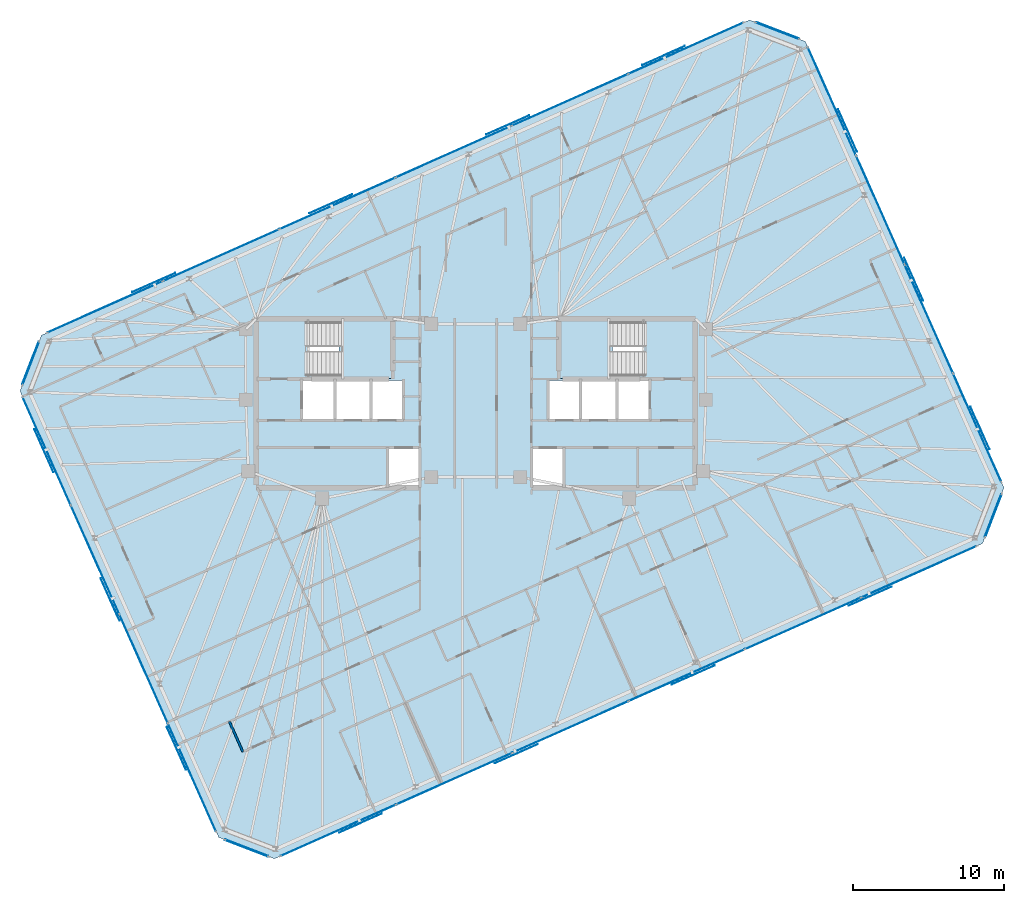
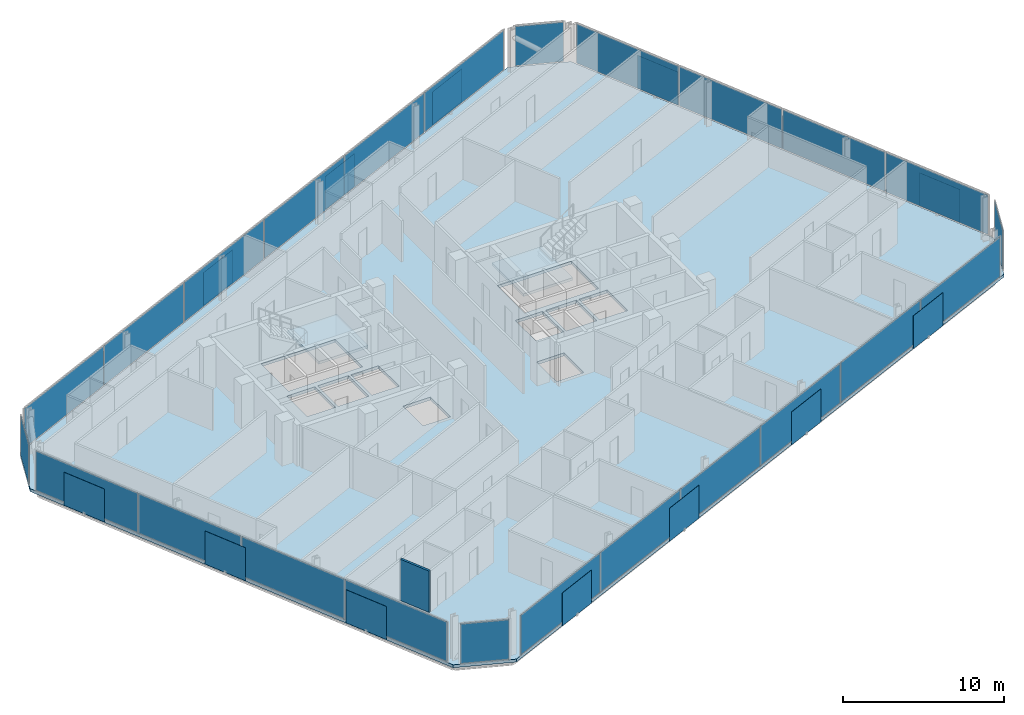
# One storey, part 12 of 19: 38 plates, 3 slabs, 1 wall, 10 elements without a shape of their own.
"""IFC4 building model written with IfcOpenShell, lengths in metres."""

from ifc_helpers import new_model, si_unit, direction, frame, frame_2d, origin, origin_2d, place, context, subcontext, project, spatial, polyline, rectangle, outline, extrude, material, layer, layer_set, type_object, element, aggregate, save


model = new_model("IFC4")

# Units and contexts
model_context = context("Model", 3, precision=1e-05, world=origin(), true_north=direction((0.0, 1.0)))
body_context = subcontext(model_context, "Body", "Model", "MODEL_VIEW")
ifc_project = project(units=[si_unit("LENGTHUNIT", "METRE"), si_unit("AREAUNIT", "SQUARE_METRE"), si_unit("VOLUMEUNIT", "CUBIC_METRE"), si_unit("PLANEANGLEUNIT", "RADIAN"), si_unit("MASSUNIT", "GRAM", prefix="KILO")], contexts=[model_context])

# Site, building, storey
site_placement = place(None, origin())
site = spatial("IfcSite", under=ifc_project, at=site_placement, CompositionType="ELEMENT")
building_placement = place(site_placement, origin())
building = spatial("IfcBuilding", under=site, at=building_placement, Name="Menara Jurai Vektor", CompositionType="ELEMENT")
storey_placement = place(building_placement, frame((0.0, 0.0, 268.89990234375)))
storey = spatial("IfcBuildingStorey", under=building, at=storey_placement, Name="L72", CompositionType="ELEMENT", Elevation=268.89990234375)

# Curtain wall, plates
ifc_material_1 = material(Name="Anodised Pale Aluminium & Low-E Double Glazing", Category="aluminium")
curtain_wall_type = type_object("IfcCurtainWallType", Name="CW-BLK5", PredefinedType="NOTDEFINED", material=ifc_material_1)
curtain_wall_1_placement = place(storey_placement, origin())
curtain_wall_1 = element("IfcCurtainWall", 1, at=curtain_wall_1_placement, inside=storey, type_object=curtain_wall_type, Name="Unitised Curtain Wall L72 F01", PredefinedType="NOTDEFINED")
ifc_material_2 = material(Name="Low-E Solar-Control Double Glazed Unit", Category="glass")
ifc_layer_1 = layer(ifc_material_2, 0.028076171875)
ifc_layer_set_1 = layer_set([ifc_layer_1], Name="Low-E Solar-Control Double Glazed Unit")
plate_type_1 = type_object("IfcPlateType", Name="CW-BLK5-PNL", PredefinedType="CURTAIN_PANEL", material=ifc_layer_set_1)
plate_1_placement = place(storey_placement, frame((-9.130615234375, -28.331787109375, 0.074951171875), z_axis=(0.0, 0.0, 1.0), x_axis=(0.913545967158, 0.406735498684, 0.0)))
plate_1 = element("IfcPlate", 2, at=plate_1_placement, type_object=plate_type_1, Name="CW-05 panel 1.1", PredefinedType="CURTAIN_PANEL", context=body_context, shape_type="SweptSolid", body=[
    extrude(rectangle(XDim=8.327392578125, YDim=0.028076171875, at=origin_2d()), origin(), (0.0, 0.0, 1.0), 2.97509765625),
])
plate_2_placement = place(storey_placement, frame((-1.4375, -24.90673828125, 0.074951171875), z_axis=(0.0, 0.0, 1.0), x_axis=(0.913545967158, 0.406735498684, 0.0)))
plate_2 = element("IfcPlate", 3, at=plate_2_placement, type_object=plate_type_1, Name="CW-05 panel 2.1", PredefinedType="CURTAIN_PANEL", context=body_context, shape_type="SweptSolid", body=[
    extrude(rectangle(XDim=8.364990234375, YDim=0.028076171875, at=origin_2d()), origin(), (0.0, 0.0, 1.0), 2.97509765625),
])
plate_3_placement = place(storey_placement, frame((6.27294921875, -21.473876953125, 0.074951171875), z_axis=(0.0, 0.0, 1.0), x_axis=(0.913545967158, 0.406735498684, 0.0)))
plate_3 = element("IfcPlate", 4, at=plate_3_placement, type_object=plate_type_1, Name="CW-05 panel 3.1", PredefinedType="CURTAIN_PANEL", context=body_context, shape_type="SweptSolid", body=[
    extrude(rectangle(XDim=8.364990234375, YDim=0.028076171875, at=origin_2d()), origin(), (0.0, 0.0, 1.0), 2.97509765625),
])
plate_4_placement = place(storey_placement, frame((13.983154296875, -18.041015625, 0.074951171875), z_axis=(0.0, 0.0, 1.0), x_axis=(0.913545967158, 0.406735498684, 0.0)))
plate_4 = element("IfcPlate", 5, at=plate_4_placement, type_object=plate_type_1, Name="CW-05 panel 4.1", PredefinedType="CURTAIN_PANEL", context=body_context, shape_type="SweptSolid", body=[
    extrude(rectangle(XDim=8.364990234375, YDim=0.028076171875, at=origin_2d()), origin(), (0.0, 0.0, 1.0), 2.97509765625),
])
plate_5_placement = place(storey_placement, frame((21.693603515625, -14.608154296875, 0.074951171875), z_axis=(0.0, 0.0, 1.0), x_axis=(0.913545967158, 0.406735498684, 0.0)))
plate_5 = element("IfcPlate", 6, at=plate_5_placement, type_object=plate_type_1, Name="CW-05 panel 5.1", PredefinedType="CURTAIN_PANEL", context=body_context, shape_type="SweptSolid", body=[
    extrude(rectangle(XDim=8.364990234375, YDim=0.028076171875, at=origin_2d()), origin(), (0.0, 0.0, 1.0), 2.97509765625),
])
plate_6_placement = place(storey_placement, frame((29.38671875, -11.182861328125, 0.074951171875), z_axis=(0.0, 0.0, 1.0), x_axis=(0.913545967158, 0.406735498684, 0.0)))
plate_6 = element("IfcPlate", 7, at=plate_6_placement, type_object=plate_type_1, Name="CW-05 panel 6.1", PredefinedType="CURTAIN_PANEL", context=body_context, shape_type="SweptSolid", body=[
    extrude(rectangle(XDim=8.327392578125, YDim=0.028076171875, at=origin_2d()), origin(), (0.0, 0.0, 1.0), 2.97509765625),
])
aggregate(curtain_wall_1, [plate_1, plate_2, plate_3, plate_4, plate_5, plate_6])

curtain_wall_2_placement = place(storey_placement, origin())
curtain_wall_2 = element("IfcCurtainWall", 8, at=curtain_wall_2_placement, inside=storey, type_object=curtain_wall_type, Name="Unitised Curtain Wall L72 F03", PredefinedType="NOTDEFINED")
plate_7_placement = place(storey_placement, frame((33.25439453125, -1.630126953125, 0.074951171875), z_axis=(0.0, 0.0, 1.0), x_axis=(-0.406735138086, 0.913546127706, 0.0)))
plate_7 = element("IfcPlate", 9, at=plate_7_placement, type_object=plate_type_1, Name="CW-05 panel 1.1", PredefinedType="CURTAIN_PANEL", context=body_context, shape_type="SweptSolid", body=[
    extrude(rectangle(XDim=7.797607421875, YDim=0.028076171875, at=origin_2d()), origin(), (0.0, 0.0, 1.0), 2.97509765625),
])
plate_8_placement = place(storey_placement, frame((30.044677734375, 5.578857421875, 0.074951171875), z_axis=(0.0, 0.0, 1.0), x_axis=(-0.406735138086, 0.913546127706, 0.0)))
plate_8 = element("IfcPlate", 10, at=plate_8_placement, type_object=plate_type_1, Name="CW-05 panel 2.1", PredefinedType="CURTAIN_PANEL", context=body_context, shape_type="SweptSolid", body=[
    extrude(rectangle(XDim=7.8349609375, YDim=0.028076171875, at=origin_2d()), origin(), (0.0, 0.0, 1.0), 2.97509765625),
])
plate_9_placement = place(storey_placement, frame((26.827392578125, 12.80517578125, 0.074951171875), z_axis=(0.0, 0.0, 1.0), x_axis=(-0.406735138086, 0.913546127706, 0.0)))
plate_9 = element("IfcPlate", 11, at=plate_9_placement, type_object=plate_type_1, Name="CW-05 panel 3.1", PredefinedType="CURTAIN_PANEL", context=body_context, shape_type="SweptSolid", body=[
    extrude(rectangle(XDim=7.8349609375, YDim=0.028076171875, at=origin_2d()), origin(), (0.0, 0.0, 1.0), 2.97509765625),
])
plate_10_placement = place(storey_placement, frame((23.61767578125, 20.01416015625, 0.074951171875), z_axis=(0.0, 0.0, 1.0), x_axis=(-0.406735138086, 0.913546127706, 0.0)))
plate_10 = element("IfcPlate", 12, at=plate_10_placement, type_object=plate_type_1, Name="CW-05 panel 4.1", PredefinedType="CURTAIN_PANEL", context=body_context, shape_type="SweptSolid", body=[
    extrude(rectangle(XDim=7.797607421875, YDim=0.028076171875, at=origin_2d()), origin(), (0.0, 0.0, 1.0), 2.97509765625),
])
aggregate(curtain_wall_2, [plate_7, plate_8, plate_9, plate_10])

curtain_wall_3_placement = place(storey_placement, origin())
curtain_wall_3 = element("IfcCurtainWall", 13, at=curtain_wall_3_placement, inside=storey, type_object=curtain_wall_type, Name="Unitised Curtain Wall L72 F05", PredefinedType="NOTDEFINED")
plate_11_placement = place(storey_placement, frame((13.9306640625, 23.53173828125, 0.074951171875), z_axis=(0.0, 0.0, 1.0), x_axis=(-0.913545967158, -0.406735498684, 0.0)))
plate_11 = element("IfcPlate", 14, at=plate_11_placement, type_object=plate_type_1, Name="CW-05 panel 1.1", PredefinedType="CURTAIN_PANEL", context=body_context, shape_type="SweptSolid", body=[
    extrude(rectangle(XDim=8.327392578125, YDim=0.028076171875, at=origin_2d()), origin(), (0.0, 0.0, 1.0), 2.97509765625),
])
plate_12_placement = place(storey_placement, frame((6.237548828125, 20.106689453125, 0.074951171875), z_axis=(0.0, 0.0, 1.0), x_axis=(-0.913545967158, -0.406735498684, 0.0)))
plate_12 = element("IfcPlate", 15, at=plate_12_placement, type_object=plate_type_1, Name="CW-05 panel 2.1", PredefinedType="CURTAIN_PANEL", context=body_context, shape_type="SweptSolid", body=[
    extrude(rectangle(XDim=8.364990234375, YDim=0.028076171875, at=origin_2d()), origin(), (0.0, 0.0, 1.0), 2.97509765625),
])
plate_13_placement = place(storey_placement, frame((-1.472900390625, 16.673828125, 0.074951171875), z_axis=(0.0, 0.0, 1.0), x_axis=(-0.913545967158, -0.406735498684, 0.0)))
plate_13 = element("IfcPlate", 16, at=plate_13_placement, type_object=plate_type_1, Name="CW-05 panel 3.1", PredefinedType="CURTAIN_PANEL", context=body_context, shape_type="SweptSolid", body=[
    extrude(rectangle(XDim=8.364990234375, YDim=0.028076171875, at=origin_2d()), origin(), (0.0, 0.0, 1.0), 2.97509765625),
])
plate_14_placement = place(storey_placement, frame((-9.18310546875, 13.240966796875, 0.074951171875), z_axis=(0.0, 0.0, 1.0), x_axis=(-0.913545967158, -0.406735498684, 0.0)))
plate_14 = element("IfcPlate", 17, at=plate_14_placement, type_object=plate_type_1, Name="CW-05 panel 4.1", PredefinedType="CURTAIN_PANEL", context=body_context, shape_type="SweptSolid", body=[
    extrude(rectangle(XDim=8.364990234375, YDim=0.028076171875, at=origin_2d()), origin(), (0.0, 0.0, 1.0), 2.97509765625),
])
plate_15_placement = place(storey_placement, frame((-16.8935546875, 9.80810546875, 0.074951171875), z_axis=(0.0, 0.0, 1.0), x_axis=(-0.913545967158, -0.406735498684, 0.0)))
plate_15 = element("IfcPlate", 18, at=plate_15_placement, type_object=plate_type_1, Name="CW-05 panel 5.1", PredefinedType="CURTAIN_PANEL", context=body_context, shape_type="SweptSolid", body=[
    extrude(rectangle(XDim=8.364990234375, YDim=0.028076171875, at=origin_2d()), origin(), (0.0, 0.0, 1.0), 2.97509765625),
])
plate_16_placement = place(storey_placement, frame((-24.586669921875, 6.3828125, 0.074951171875), z_axis=(0.0, 0.0, 1.0), x_axis=(-0.913545967158, -0.406735498684, 0.0)))
plate_16 = element("IfcPlate", 19, at=plate_16_placement, type_object=plate_type_1, Name="CW-05 panel 6.1", PredefinedType="CURTAIN_PANEL", context=body_context, shape_type="SweptSolid", body=[
    extrude(rectangle(XDim=8.327392578125, YDim=0.028076171875, at=origin_2d()), origin(), (0.0, 0.0, 1.0), 2.97509765625),
])
aggregate(curtain_wall_3, [plate_11, plate_12, plate_13, plate_14, plate_15, plate_16])

curtain_wall_4_placement = place(storey_placement, origin())
curtain_wall_4 = element("IfcCurtainWall", 20, at=curtain_wall_4_placement, inside=storey, type_object=curtain_wall_type, Name="Unitised Curtain Wall L72 F07", PredefinedType="NOTDEFINED")
plate_17_placement = place(storey_placement, frame((-28.454345703125, -3.169921875, 0.074951171875), z_axis=(0.0, 0.0, 1.0), x_axis=(0.406735138086, -0.913546127706, 0.0)))
plate_17 = element("IfcPlate", 21, at=plate_17_placement, type_object=plate_type_1, Name="CW-05 panel 1.1", PredefinedType="CURTAIN_PANEL", context=body_context, shape_type="SweptSolid", body=[
    extrude(rectangle(XDim=7.797607421875, YDim=0.028076171875, at=origin_2d()), origin(), (0.0, 0.0, 1.0), 2.97509765625),
])
plate_18_placement = place(storey_placement, frame((-25.24462890625, -10.37890625, 0.074951171875), z_axis=(0.0, 0.0, 1.0), x_axis=(0.406735138086, -0.913546127706, 0.0)))
plate_18 = element("IfcPlate", 22, at=plate_18_placement, type_object=plate_type_1, Name="CW-05 panel 2.1", PredefinedType="CURTAIN_PANEL", context=body_context, shape_type="SweptSolid", body=[
    extrude(rectangle(XDim=7.8349609375, YDim=0.028076171875, at=origin_2d()), origin(), (0.0, 0.0, 1.0), 2.97509765625),
])
plate_19_placement = place(storey_placement, frame((-22.02734375, -17.60498046875, 0.074951171875), z_axis=(0.0, 0.0, 1.0), x_axis=(0.406735138086, -0.913546127706, 0.0)))
plate_19 = element("IfcPlate", 23, at=plate_19_placement, type_object=plate_type_1, Name="CW-05 panel 3.1", PredefinedType="CURTAIN_PANEL", context=body_context, shape_type="SweptSolid", body=[
    extrude(rectangle(XDim=7.8349609375, YDim=0.028076171875, at=origin_2d()), origin(), (0.0, 0.0, 1.0), 2.97509765625),
])
plate_20_placement = place(storey_placement, frame((-18.81787109375, -24.814208984375, 0.074951171875), z_axis=(0.0, 0.0, 1.0), x_axis=(0.406735138086, -0.913546127706, 0.0)))
plate_20 = element("IfcPlate", 24, at=plate_20_placement, type_object=plate_type_1, Name="CW-05 panel 4.1", PredefinedType="CURTAIN_PANEL", context=body_context, shape_type="SweptSolid", body=[
    extrude(rectangle(XDim=7.797607421875, YDim=0.028076171875, at=origin_2d()), origin(), (0.0, 0.0, 1.0), 2.97509765625),
])
aggregate(curtain_wall_4, [plate_17, plate_18, plate_19, plate_20])

# Curtain wall, plate
curtain_wall_5_placement = place(storey_placement, origin())
curtain_wall_5 = element("IfcCurtainWall", 25, at=curtain_wall_5_placement, inside=storey, type_object=curtain_wall_type, Name="Unitised Curtain Wall L72 F02", PredefinedType="NOTDEFINED")
ifc_material_3 = material(Name="Insulated Pale Aluminium Spandrel Panel", Category="aluminium")
ifc_layer_2 = layer(ifc_material_3, 0.06005859375)
ifc_layer_set_2 = layer_set([ifc_layer_2], Name="Insulated Pale Aluminium Spandrel Panel")
plate_type_2 = type_object("IfcPlateType", Name="CW-PNL-SP", PredefinedType="CURTAIN_PANEL", material=ifc_layer_set_2)
plate_21_placement = place(storey_placement, frame((34.315673828125, -7.455810546875, 0.074951171875), z_axis=(0.0, 0.0, 1.0), x_axis=(0.358373766287, 0.933578193639, 0.0)))
plate_21 = element("IfcPlate", 26, at=plate_21_placement, type_object=plate_type_2, Name="CW-05 panel 1.1", PredefinedType="CURTAIN_PANEL", context=body_context, shape_type="SweptSolid", body=[
    extrude(rectangle(XDim=3.0498046875, YDim=0.06005859375, at=origin_2d()), origin(), (0.0, 0.0, 1.0), 2.97509765625),
])
aggregate(curtain_wall_5, [plate_21])

curtain_wall_6_placement = place(storey_placement, origin())
curtain_wall_6 = element("IfcCurtainWall", 27, at=curtain_wall_6_placement, inside=storey, type_object=curtain_wall_type, Name="Unitised Curtain Wall L72 F04", PredefinedType="NOTDEFINED")
plate_22_placement = place(storey_placement, frame((19.99853515625, 24.700927734375, 0.074951171875), z_axis=(0.0, 0.0, 1.0), x_axis=(-0.933578193639, 0.358373766287, 0.0)))
plate_22 = element("IfcPlate", 28, at=plate_22_placement, type_object=plate_type_2, Name="CW-05 panel 1.1", PredefinedType="CURTAIN_PANEL", context=body_context, shape_type="SweptSolid", body=[
    extrude(rectangle(XDim=3.0498046875, YDim=0.06005859375, at=origin_2d()), origin(), (0.0, 0.0, 1.0), 2.97509765625),
])
aggregate(curtain_wall_6, [plate_22])

curtain_wall_7_placement = place(storey_placement, origin())
curtain_wall_7 = element("IfcCurtainWall", 29, at=curtain_wall_7_placement, inside=storey, type_object=curtain_wall_type, Name="Unitised Curtain Wall L72 F06", PredefinedType="NOTDEFINED")
plate_23_placement = place(storey_placement, frame((-29.515625, 2.65576171875, 0.074951171875), z_axis=(0.0, 0.0, 1.0), x_axis=(-0.358373766287, -0.933578193639, 0.0)))
plate_23 = element("IfcPlate", 30, at=plate_23_placement, type_object=plate_type_2, Name="CW-05 panel 1.1", PredefinedType="CURTAIN_PANEL", context=body_context, shape_type="SweptSolid", body=[
    extrude(rectangle(XDim=3.0498046875, YDim=0.06005859375, at=origin_2d()), origin(), (0.0, 0.0, 1.0), 2.97509765625),
])
aggregate(curtain_wall_7, [plate_23])

curtain_wall_8_placement = place(storey_placement, origin())
curtain_wall_8 = element("IfcCurtainWall", 31, at=curtain_wall_8_placement, inside=storey, type_object=curtain_wall_type, Name="Unitised Curtain Wall L72 F08", PredefinedType="NOTDEFINED")
plate_24_placement = place(storey_placement, frame((-15.198486328125, -29.5009765625, 0.074951171875), z_axis=(0.0, 0.0, 1.0), x_axis=(0.933578193639, -0.358373766287, 0.0)))
plate_24 = element("IfcPlate", 32, at=plate_24_placement, type_object=plate_type_2, Name="CW-05 panel 1.1", PredefinedType="CURTAIN_PANEL", context=body_context, shape_type="SweptSolid", body=[
    extrude(rectangle(XDim=3.0498046875, YDim=0.06005859375, at=origin_2d()), origin(), (0.0, 0.0, 1.0), 2.97509765625),
])
aggregate(curtain_wall_8, [plate_24])

# Plates
ifc_material_4 = material(Name="Anodised Pale Aluminium Perforated Screen", Category="aluminium")
ifc_layer_3 = layer(ifc_material_4, 0.02197265625)
ifc_layer_set_3 = layer_set([ifc_layer_3], Name="Anodised Pale Aluminium Perforated Screen")
plate_type_3 = type_object("IfcPlateType", Name="ENV-PLT-SCREEN-HI", PredefinedType="USERDEFINED", material=ifc_layer_set_3)
for number, where, z_axis, x_axis, name in (
    (33, (-7.650390625, -27.847900390625, -0.0498046875), (0.0, 0.0, 1.0), (0.913545457643, 0.406736643076, 0.0), "Perforated Pale-Metal Solar Screen L72-S01"),
    (34, (2.68017578125, -23.24853515625, -0.0498046875), (0.0, 0.0, 1.0), (0.913545457643, 0.406736643076, 0.0), "Perforated Pale-Metal Solar Screen L72-S02"),
    (35, (14.419189453125, -18.02197265625, -0.0498046875), (0.0, 0.0, 1.0), (0.913545457643, 0.406736643076, 0.0), "Perforated Pale-Metal Solar Screen L72-S03"),
    (36, (26.158203125, -12.79541015625, -0.0498046875), (0.0, 0.0, 1.0), (0.913545457643, 0.406736643076, 0.0), "Perforated Pale-Metal Solar Screen L72-S04"),
    (37, (33.436279296875, -1.64501953125, -0.0498046875), (0.0, 0.0, 1.0), (-0.406736643076, 0.913545457643, 0.0), "Perforated Pale-Metal Solar Screen L72-S05"),
    (38, (29.04345703125, 8.22119140625, -0.0498046875), (0.0, 0.0, 1.0), (-0.406736643076, 0.913545457643, 0.0), "Perforated Pale-Metal Solar Screen L72-S06"),
    (39, (24.650634765625, 18.08740234375, -0.0498046875), (0.0, 0.0, 1.0), (-0.406736643076, 0.913545457643, 0.0), "Perforated Pale-Metal Solar Screen L72-S07"),
    (40, (12.4501953125, 23.0478515625, -0.0498046875), (0.0, 0.0, 1.0), (-0.913545457643, -0.406736643076, 0.0), "Perforated Pale-Metal Solar Screen L72-S08"),
    (41, (2.119873046875, 18.448486328125, -0.0498046875), (0.0, 0.0, 1.0), (-0.913545457643, -0.406736643076, 0.0), "Perforated Pale-Metal Solar Screen L72-S09"),
    (42, (-9.619140625, 13.221923828125, -0.0498046875), (0.0, 0.0, 1.0), (-0.913545457643, -0.406736643076, 0.0), "Perforated Pale-Metal Solar Screen L72-S10"),
    (43, (-21.358154296875, 7.995361328125, -0.0498046875), (0.0, 0.0, 1.0), (-0.913545457643, -0.406736643076, 0.0), "Perforated Pale-Metal Solar Screen L72-S11"),
    (44, (-28.63623046875, -3.15478515625, -0.0498046875), (0.0, 0.0, 1.0), (0.406736643076, -0.913545457643, 0.0), "Perforated Pale-Metal Solar Screen L72-S12"),
    (45, (-24.243408203125, -13.02099609375, -0.0498046875), (0.0, 0.0, 1.0), (0.406736643076, -0.913545457643, 0.0), "Perforated Pale-Metal Solar Screen L72-S13"),
    (46, (-19.8505859375, -22.887451171875, -0.0498046875), (0.0, 0.0, 1.0), (0.406736643076, -0.913545457643, 0.0), "Perforated Pale-Metal Solar Screen L72-S14"),
):
    element("IfcPlate", number, at=place(storey_placement, frame(where, z_axis=z_axis, x_axis=x_axis)), inside=storey, type_object=plate_type_3, Name=name, ObjectType="SCREEN", PredefinedType="USERDEFINED", context=body_context, shape_type="SweptSolid", body=[
        extrude(rectangle(XDim=3.10009765625, YDim=0.02197265625, at=origin_2d()), origin(), (0.0, 0.0, 1.0), 2.5),
    ])

# Stair, slab
ifc_material_5 = material(Name="Concrete C40/50", Category="concrete")
stair_type = type_object("IfcStairType", Name="STAIR-DOGLEG-1500", PredefinedType="HALF_TURN_STAIR", material=ifc_material_5)
stair_1_placement = place(storey_placement, origin())
stair_1 = element("IfcStair", 47, at=stair_1_placement, inside=storey, type_object=stair_type, Name="Protected Exit Stair ST1 L72", PredefinedType="HALF_TURN_STAIR")
ifc_layer_4 = layer(ifc_material_5, 0.199951171875)
ifc_layer_set_4 = layer_set([ifc_layer_4], Name="Concrete C40/50")
slab_type_1 = type_object("IfcSlabType", Name="STAIR-LANDING-200", PredefinedType="LANDING", material=ifc_layer_set_4)
slab_1_placement = place(storey_placement, frame((0.0, 0.0, 1.47509765625)))
slab_1 = element("IfcSlab", 48, at=slab_1_placement, type_object=slab_type_1, Name="ST1 landing 1", PredefinedType="LANDING", context=body_context, shape_type="SweptSolid", body=[
    extrude(outline(polyline([(-9.080078125, 1.64990234375), (-5.550048828125, 1.64990234375), (-5.550048828125, 5.550048828125), (-9.080078125, 5.550048828125), (-9.080078125, 1.64990234375)])), origin(), (0.0, 0.0, 1.0), 0.199951171875),
])
aggregate(stair_1, [slab_1])

stair_2_placement = place(storey_placement, origin())
stair_2 = element("IfcStair", 49, at=stair_2_placement, inside=storey, type_object=stair_type, Name="Protected Exit Stair ST2 L72", PredefinedType="HALF_TURN_STAIR")
slab_2_placement = place(storey_placement, frame((0.0, 0.0, 1.47509765625)))
slab_2 = element("IfcSlab", 50, at=slab_2_placement, type_object=slab_type_1, Name="ST2 landing 1", PredefinedType="LANDING", context=body_context, shape_type="SweptSolid", body=[
    extrude(outline(polyline([(5.550048828125, 1.64990234375), (9.080078125, 1.64990234375), (9.080078125, 5.550048828125), (5.550048828125, 5.550048828125), (5.550048828125, 1.64990234375)])), origin(), (0.0, 0.0, 1.0), 0.199951171875),
])
aggregate(stair_2, [slab_2])

# Slab
ifc_layer_5 = layer(ifc_material_5, 0.22509765625)
ifc_layer_set_5 = layer_set([ifc_layer_5], Name="Concrete C40/50")
slab_type_2 = type_object("IfcSlabType", Name="STR-SLAB-TYP200", PredefinedType="FLOOR", material=ifc_layer_set_5)
slab_3_placement = place(storey_placement, frame((0.0, 0.0, -0.224853515625)))
element("IfcSlab", 51, at=slab_3_placement, inside=storey, type_object=slab_type_2, Name="Composite Floor Slab L72", PredefinedType="FLOOR", context=body_context, shape_type="SweptSolid", body=[
    extrude(outline(polyline([(-13.35009765625, -30.21044921875), (33.606201171875, -9.30419921875), (35.025146484375, -5.607421875), (21.846923828125, 23.991455078125), (18.150146484375, 25.410400390625), (-28.80615234375, 4.504150390625), (-30.22509765625, 0.807373046875), (-17.046875, -28.79150390625), (-13.35009765625, -30.21044921875)]), holes=[polyline([(-11.10009765625, 1.89990234375), (-11.10009765625, 5.300048828125), (-5.800048828125, 5.300048828125), (-5.800048828125, 1.89990234375), (-11.10009765625, 1.89990234375)]), polyline([(5.800048828125, 1.89990234375), (5.800048828125, 5.300048828125), (11.10009765625, 5.300048828125), (11.10009765625, 1.89990234375), (5.800048828125, 1.89990234375)]), polyline([(-11.449951171875, -1.050048828125), (-11.449951171875, 1.5), (-9.449951171875, 1.5), (-9.449951171875, -1.050048828125), (-11.449951171875, -1.050048828125)]), polyline([(9.449951171875, -1.050048828125), (9.449951171875, 1.5), (11.449951171875, 1.5), (11.449951171875, -1.050048828125), (9.449951171875, -1.050048828125)]), polyline([(-5.760009765625, -5.5), (-5.760009765625, -3.050048828125), (-3.800048828125, -3.050048828125), (-3.800048828125, -5.5), (-5.760009765625, -5.5)]), polyline([(-6.85009765625, -1.050048828125), (-6.85009765625, 1.5), (-4.889892578125, 1.5), (-4.889892578125, -1.050048828125), (-6.85009765625, -1.050048828125)]), polyline([(3.800048828125, -5.5), (3.800048828125, -3.050048828125), (5.760009765625, -3.050048828125), (5.760009765625, -5.5), (3.800048828125, -5.5)]), polyline([(4.889892578125, -1.050048828125), (4.889892578125, 1.5), (6.85009765625, 1.5), (6.85009765625, -1.050048828125), (4.889892578125, -1.050048828125)]), polyline([(-9.25, -1.050048828125), (-9.25, 1.5), (-7.050048828125, 1.5), (-7.050048828125, -1.050048828125), (-9.25, -1.050048828125)]), polyline([(7.050048828125, -1.050048828125), (7.050048828125, 1.5), (9.25, 1.5), (9.25, -1.050048828125), (7.050048828125, -1.050048828125)])]), origin(), (0.0, 0.0, 1.0), 0.224853515625),
])

# Wall
ifc_material_6 = material(Name="Gypsum Fireboard Partition", Category="gypsum")
ifc_layer_6 = layer(ifc_material_6, 0.14990234375)
ifc_layer_set_6 = layer_set([ifc_layer_6], Name="Gypsum Fireboard Partition")
wall_type = type_object("IfcWallType", Name="INT-WALL-CORR-150", PredefinedType="PARTITIONING", material=ifc_layer_set_6)
wall_placement = place(storey_placement, frame((-15.447509765625, -23.114990234375, 0.0), z_axis=(0.0, 0.0, 1.0), x_axis=(-0.406725294076, 0.913550510459, 0.0)))
element("IfcWall", 52, at=wall_placement, inside=storey, type_object=wall_type, Name="Interior Wall IW-150 L72", PredefinedType="PARTITIONING", context=body_context, shape_type="SweptSolid", body=[
    extrude(rectangle(XDim=2.199951171875, YDim=0.14990234375, at=frame_2d((1.10009765625, 0.0))), origin(), (0.0, 0.0, 1.0), 3.125),
])

save(model, "model.ifc")
